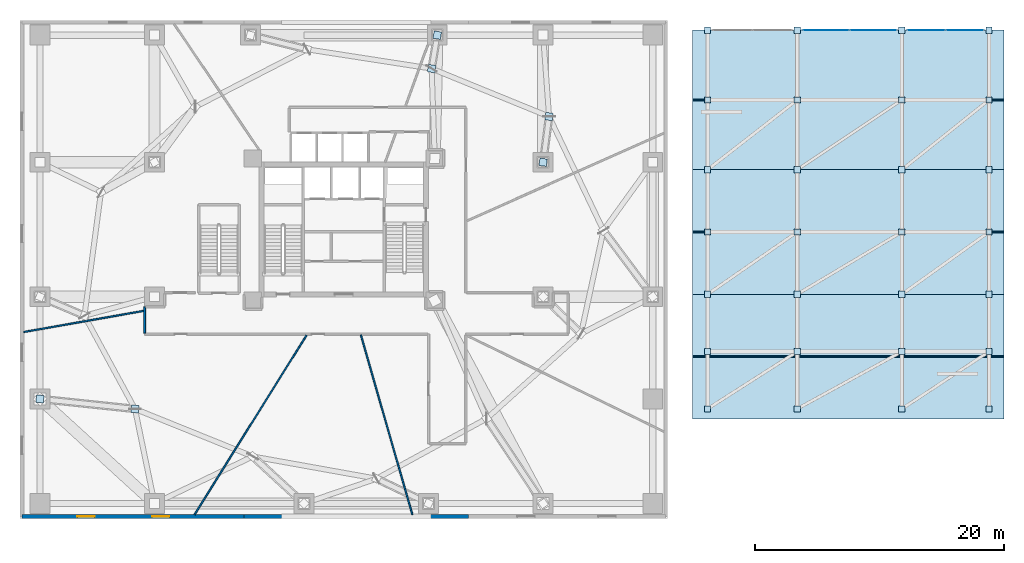
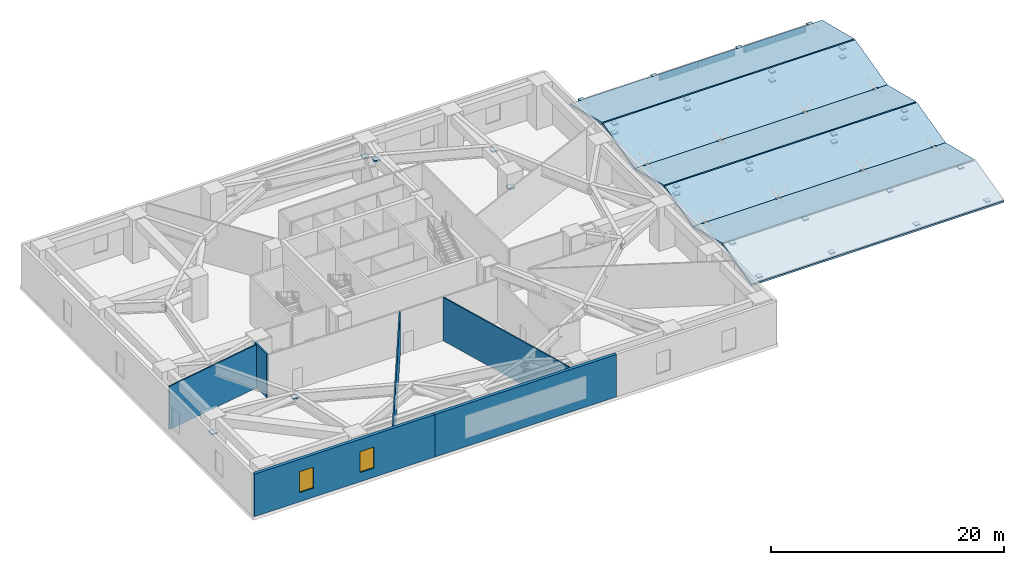
# One storey, part 8 of 13: 46 plates, 6 slabs, 6 walls, 2 windows, 2 openings, 2 elements without a shape of their own.
"""IFC4 building model written with IfcOpenShell, lengths in metres."""

import ifcopenshell
import ifcopenshell.guid

model = None  # the IFC model being written
_history = None  # IfcOwnerHistory: only IFC2X3 demands one
_inside = {}  # id of a spatial element -> (the spatial element, [elements in it])
_under = {}  # id of a project, library or spatial element -> (it, [spatial elements below it])
_declared = {}  # id of a project -> (the project, [libraries it declares])
_typed = {}  # id of a type object -> (the type object, [elements of that type])
_made_of = {}  # id of a material, layer set ... -> (it, [elements and type objects made of it])


def new_model(schema):
    """Start an empty IFC model of exactly this schema.

    Asked for "IFC4X3", IfcOpenShell would pick the latest addendum, in which some entities
    have other attributes; the version numbers below select the first issue.
    IFC2X3 requires an IfcOwnerHistory on every rooted entity: one is made here for all.
    """
    global model, _history
    if schema == "IFC4X3":
        model = ifcopenshell.file(schema_version=(4, 3, 0, 0))
    else:
        model = ifcopenshell.file(schema=schema)
    _inside.clear()
    _under.clear()
    _declared.clear()
    _typed.clear()
    _made_of.clear()
    _history = None
    if model.schema == "IFC2X3":
        org = make("IfcOrganization", Name="unknown")
        user = make(
            "IfcPersonAndOrganization",
            ThePerson=make("IfcPerson", FamilyName="unknown"),
            TheOrganization=org,
        )
        app = make(
            "IfcApplication",
            ApplicationDeveloper=org,
            Version="unknown",
            ApplicationFullName="unknown",
            ApplicationIdentifier="unknown",
        )
        _history = make(
            "IfcOwnerHistory",
            OwningUser=user,
            OwningApplication=app,
            ChangeAction="ADDED",
            CreationDate=0,
        )
    return model


def make(cls, **values):
    """One entity of the class cls with the attributes given. An attribute that is None is left unset."""
    return model.create_entity(
        cls, **{name: value for name, value in values.items() if value is not None}
    )


def rooted(cls, **values):
    """An entity with a GlobalId (a new one), such as an element, a storey or a relation."""
    return make(cls, GlobalId=ifcopenshell.guid.new(), OwnerHistory=_history, **values)


def si_unit(unit_type, name, prefix=None):
    """IfcSIUnit, for example si_unit("LENGTHUNIT", "METRE", prefix="MILLI")."""
    return make("IfcSIUnit", UnitType=unit_type, Prefix=prefix, Name=name)


def assignment(units):
    """IfcUnitAssignment: the units of a project."""
    return None if units is None else make("IfcUnitAssignment", Units=units)


def point(xyz):
    """IfcCartesianPoint."""
    return None if xyz is None else make("IfcCartesianPoint", Coordinates=xyz)


def direction(xyz):
    """IfcDirection."""
    return None if xyz is None else make("IfcDirection", DirectionRatios=xyz)


def frame(location, z_axis=None, x_axis=None):
    """IfcAxis2Placement3D, a coordinate frame: its origin and axes. An axis left out is left unset."""
    return make(
        "IfcAxis2Placement3D",
        Location=point(location),
        Axis=direction(z_axis),
        RefDirection=direction(x_axis),
    )


def frame_2d(location, x_axis=None):
    """IfcAxis2Placement2D, a coordinate frame in the plane: its origin and x axis."""
    return make(
        "IfcAxis2Placement2D", Location=point(location), RefDirection=direction(x_axis)
    )


def origin():
    """The frame at (0, 0, 0) with its axes left unset."""
    return frame((0.0, 0.0, 0.0))


def origin_2d():
    """The frame at (0, 0) in the plane with its x axis left unset."""
    return frame_2d((0.0, 0.0))


def place(relative_to, where):
    """IfcLocalPlacement: puts the frame where relative to a parent placement (None: the world)."""
    return make(
        "IfcLocalPlacement", PlacementRelTo=relative_to, RelativePlacement=where
    )


def context(
    kind, dimensions, precision=None, world=None, true_north=None, identifier=None
):
    """IfcGeometricRepresentationContext, for example the 3D "Model" context."""
    return make(
        "IfcGeometricRepresentationContext",
        ContextIdentifier=identifier,
        ContextType=kind,
        CoordinateSpaceDimension=dimensions,
        Precision=precision,
        WorldCoordinateSystem=world,
        TrueNorth=true_north,
    )


def subcontext(parent, identifier, kind, view, scale=None):
    """IfcGeometricRepresentationSubContext, for example "Body" below "Model"."""
    return make(
        "IfcGeometricRepresentationSubContext",
        ContextIdentifier=identifier,
        ContextType=kind,
        ParentContext=parent,
        TargetScale=scale,
        TargetView=view,
    )


def project(units=None, contexts=None):
    """IfcProject with its units and contexts."""
    return rooted(
        "IfcProject",
        Name="project",
        RepresentationContexts=contexts,
        UnitsInContext=assignment(units),
    )


def spatial(cls, under=None, at=None, **own):
    """A site, building, storey or space (cls), placed at a placement, below another one or the project."""
    s = rooted(cls, ObjectPlacement=at, **own)
    if under is not None:
        _under.setdefault(under.id(), (under, []))[1].append(s)
    return s


def polyline(points):
    """IfcPolyline through the points."""
    return make("IfcPolyline", Points=[point(p) for p in points])


def profile(cls, at=None, kind="AREA", **sizes):
    """A parametric profile (cls). Its sizes go by their IFC names, for example OverallWidth=200.0."""
    return make(cls, ProfileType=kind, Position=at, **sizes)


def rectangle(**sizes):
    """IfcRectangleProfileDef."""
    return profile("IfcRectangleProfileDef", **sizes)


def outline(outer, holes=None, kind="AREA"):
    """IfcArbitraryClosedProfileDef: a profile drawn as a closed curve; with holes, ...WithVoids."""
    if holes is None:
        return make("IfcArbitraryClosedProfileDef", ProfileType=kind, OuterCurve=outer)
    return make(
        "IfcArbitraryProfileDefWithVoids",
        ProfileType=kind,
        OuterCurve=outer,
        InnerCurves=holes,
    )


def extrude(swept, where, along, depth):
    """IfcExtrudedAreaSolid: the profile swept, set in the frame where, extruded along a direction by depth."""
    return make(
        "IfcExtrudedAreaSolid",
        SweptArea=swept,
        Position=where,
        ExtrudedDirection=direction(along),
        Depth=depth,
    )


def shape(context_of_items, identifier, shape_type, items):
    """IfcShapeRepresentation: the items that make up one representation, for example the "Body"."""
    return make(
        "IfcShapeRepresentation",
        ContextOfItems=context_of_items,
        RepresentationIdentifier=identifier,
        RepresentationType=shape_type,
        Items=items,
    )


def source(mapping_origin, context_of_items, identifier, shape_type, items):
    """IfcRepresentationMap: a shape defined once, which mapped items show again and again."""
    return make(
        "IfcRepresentationMap",
        MappingOrigin=mapping_origin,
        MappedRepresentation=shape(context_of_items, identifier, shape_type, items),
    )


def transform(
    local_origin,
    x_axis=None,
    y_axis=None,
    z_axis=None,
    scale=None,
    scale2=None,
    scale3=None,
    uniform=True,
):
    """IfcCartesianTransformationOperator3D, or its non-uniform kind. x_axis, y_axis, z_axis: its Axis1, 2, 3."""
    if uniform:
        return make(
            "IfcCartesianTransformationOperator3D",
            Axis1=direction(x_axis),
            Axis2=direction(y_axis),
            LocalOrigin=point(local_origin),
            Scale=scale,
            Axis3=direction(z_axis),
        )
    return make(
        "IfcCartesianTransformationOperator3DnonUniform",
        Axis1=direction(x_axis),
        Axis2=direction(y_axis),
        LocalOrigin=point(local_origin),
        Scale=scale,
        Axis3=direction(z_axis),
        Scale2=scale2,
        Scale3=scale3,
    )


def mapped(mapping_source, mapping_target):
    """IfcMappedItem: shows the shape of a source again, moved by a transform."""
    return make(
        "IfcMappedItem", MappingSource=mapping_source, MappingTarget=mapping_target
    )


def material(Name=None, Category=None):
    """IfcMaterial."""
    return make("IfcMaterial", Name=Name, Category=Category)


def layer(
    of_material, thickness, ventilated=None, Name=None, Category=None, Priority=None
):
    """IfcMaterialLayer: one layer of a wall or slab, of a material (None: an air gap)."""
    return make(
        "IfcMaterialLayer",
        Material=of_material,
        LayerThickness=thickness,
        IsVentilated=ventilated,
        Name=Name,
        Category=Category,
        Priority=Priority,
    )


def layer_set(layers, Name=None):
    """IfcMaterialLayerSet."""
    return make("IfcMaterialLayerSet", MaterialLayers=layers, LayerSetName=Name)


def made_of(thing, what):
    """Note that an element or type object is made of a material, layer set ...; save() writes the relation."""
    if what is not None:
        _made_of.setdefault(what.id(), (what, []))[1].append(thing)
    return thing


def type_object(cls, material=None, **own):
    """A type object (cls), such as IfcWallType, which elements share."""
    return made_of(rooted(cls, **own), material)


def type_shapes(of_type, sources):
    """Give a type object the sources (RepresentationMaps) that its elements show as mapped items."""
    of_type.RepresentationMaps = sources


def element(
    cls,
    number,
    at=None,
    inside=None,
    cuts=None,
    type_object=None,
    material=None,
    context=None,
    identifier="Body",
    shape_type=None,
    held_by="IfcProductDefinitionShape",
    body=None,
    shapes=None,
    **own,
):
    """One element of the class cls, such as IfcWall. Its Tag is "e" and its number.

    at: its placement. inside: the storey or other place that contains it. cuts: it is an
    opening in that element (IfcRelVoidsElement). A single representation is given by context,
    identifier, shape_type and body (its items); several are given by shapes. held_by: the class
    of the entity that holds the representations. save() writes the other relations.
    """
    e = rooted(cls, Tag="e%d" % number, ObjectPlacement=at, **own)
    if body is not None:
        shapes = [shape(context, identifier, shape_type, body)]
    if shapes is not None:
        e.Representation = make(held_by, Representations=shapes)
    if inside is not None:
        _inside.setdefault(inside.id(), (inside, []))[1].append(e)
    if cuts is not None:
        rooted(
            "IfcRelVoidsElement", RelatingBuildingElement=cuts, RelatedOpeningElement=e
        )
    if type_object is not None:
        _typed.setdefault(type_object.id(), (type_object, []))[1].append(e)
    return made_of(e, material)


def fill(opening, filler):
    """IfcRelFillsElement: the door or window that sits in an opening."""
    return rooted(
        "IfcRelFillsElement",
        RelatingOpeningElement=opening,
        RelatedBuildingElement=filler,
    )


def aggregate(whole, parts):
    """IfcRelAggregates: a whole, such as a stair, and the parts it consists of."""
    return rooted("IfcRelAggregates", RelatingObject=whole, RelatedObjects=parts)


def save(model, path):
    """Write the relations noted so far, then the file.

    IfcRelAggregates (storeys below a building ...), IfcRelContainedInSpatialStructure (elements
    in a storey), IfcRelDefinesByType, IfcRelAssociatesMaterial and IfcRelDeclares: one each for
    every whole, place, type object, material and project.
    """
    for whole, parts in _under.values():
        aggregate(whole, parts)
    for where, things in _inside.values():
        rooted(
            "IfcRelContainedInSpatialStructure",
            RelatedElements=things,
            RelatingStructure=where,
        )
    for kind, things in _typed.values():
        rooted("IfcRelDefinesByType", RelatedObjects=things, RelatingType=kind)
    for what, things in _made_of.values():
        rooted("IfcRelAssociatesMaterial", RelatedObjects=things, RelatingMaterial=what)
    for by, libraries in _declared.values():
        rooted("IfcRelDeclares", RelatingContext=by, RelatedDefinitions=libraries)
    model.write(path)


model = new_model("IFC4")

# Units and contexts
model_context = context("Model", 3, precision=1e-05, world=origin(), true_north=direction((0.0, 1.0)))
body_context = subcontext(model_context, "Body", "Model", "MODEL_VIEW")
ifc_project = project(units=[si_unit("LENGTHUNIT", "METRE"), si_unit("AREAUNIT", "SQUARE_METRE"), si_unit("VOLUMEUNIT", "CUBIC_METRE"), si_unit("PLANEANGLEUNIT", "RADIAN"), si_unit("MASSUNIT", "GRAM", prefix="KILO")], contexts=[model_context])

# Site, building, storey
site_placement = place(None, origin())
site = spatial("IfcSite", under=ifc_project, at=site_placement, CompositionType="ELEMENT")
building_placement = place(site_placement, origin())
building = spatial("IfcBuilding", under=site, at=building_placement, Name="Talar Marvaseh", CompositionType="ELEMENT")
storey_placement = place(building_placement, frame((0.0, 0.0, 19.0)))
storey = spatial("IfcBuildingStorey", under=building, at=storey_placement, Name="L04", CompositionType="ELEMENT", Elevation=19.0)

# Slabs
ifc_material_1 = material(Name="Precast concrete C45/55", Category="concrete")
ifc_layer_1 = layer(ifc_material_1, 0.235107421875)
ifc_layer_set_1 = layer_set([ifc_layer_1], Name="Precast concrete C45/55")
slab_type = type_object("IfcSlabType", Name="Market Hall Vaulted Precast Roof Slab 235", PredefinedType="ROOF", material=ifc_layer_set_1)
for number, where, z_axis, x_axis, name in (
    (1, (54.0, 16.0, 0.64990234375), (0.0, -0.24189111647, 0.970303399856), (1.0, 0.0, 0.0), "L04 Market Hall South Vault Roof Facet 1"),
    (2, (54.0, 21.070068359375, 1.87890625), (0.0, 0.24189111647, 0.970303399856), (1.0, 0.0, 0.0), "L04 Market Hall North Vault Roof Facet 1"),
    (3, (54.0, 26.0, 0.64990234375), (0.0, -0.24189111647, 0.970303399856), (1.0, 0.0, 0.0), "L04 Market Hall South Vault Roof Facet 2"),
    (4, (54.0, 31.070068359375, 1.87890625), (0.0, 0.24189111647, 0.970303399856), (1.0, 0.0, 0.0), "L04 Market Hall North Vault Roof Facet 2"),
):
    element("IfcSlab", number, at=place(storey_placement, frame(where, z_axis=z_axis, x_axis=x_axis)), inside=storey, type_object=slab_type, Name=name, PredefinedType="ROOF", context=body_context, shape_type="SweptSolid", body=[
        extrude(outline(polyline([(0.0, 0.0), (25.0, 0.0), (25.0, 5.080814558986901), (0.0, 5.080814558986901), (0.0, 0.0)])), origin(), (0.0, 0.0, -1.0), 0.235107421875),
    ])
for number, where, z_axis, x_axis, name in (
    (5, (54.0, 36.0, 0.64990234375), (0.0, -0.241981235667, 0.970280929208), (1.0, 0.0, 0.0), "L04 Market Hall South Vault Roof Facet 3"),
    (6, (54.0, 41.669921875, 2.029052734375), (0.0, 0.241981235667, 0.970280929208), (1.0, 0.0, 0.0), "L04 Market Hall North Vault Roof Facet 3"),
):
    element("IfcSlab", number, at=place(storey_placement, frame(where, z_axis=z_axis, x_axis=x_axis)), inside=storey, type_object=slab_type, Name=name, PredefinedType="ROOF", context=body_context, shape_type="SweptSolid", body=[
        extrude(outline(polyline([(0.0, 0.0), (25.0, 0.0), (25.0, 5.699410480414347), (0.0, 5.699410480414347), (0.0, 0.0)])), origin(), (0.0, 0.0, -1.0), 0.235107421875),
    ])

# Plates
ifc_material_2 = material(Name="Steel S460", Category="steel")
ifc_layer_2 = layer(ifc_material_2, 0.02490234375)
ifc_layer_set_2 = layer_set([ifc_layer_2], Name="Steel S460")
plate_type_1 = type_object("IfcPlateType", Name="Crown Box End Closure Cap Plate 25", PredefinedType="USERDEFINED", material=ifc_layer_set_2)
shared_shape_1 = source(origin(), body_context, "Body", "SweptSolid", [
    extrude(rectangle(XDim=0.5, YDim=0.5, at=origin_2d()), origin(), (0.0, 0.0, 1.0), 0.139892578125),
])
type_shapes(plate_type_1, [shared_shape_1])
for number, where, z_axis, x_axis, name in (
    (7, (55.199951171875, 16.800048828125, 0.5302734375), (0.0, 0.0, 1.0), (0.0, 1.0, 0.0), "L04 Hollow Member End Cap Plate"),
    (8, (55.199951171875, 21.39990234375, 1.22705078125), (0.0, 0.0, 1.0), (0.0, 1.0, 0.0), "L04 Hollow Member End Cap Plate"),
    (9, (55.199951171875, 26.0, 0.5302734375), (0.0, 0.0, 1.0), (0.0, 1.0, 0.0), "L04 Hollow Member End Cap Plate"),
    (10, (62.39990234375, 16.800048828125, 0.5302734375), (0.0, 0.0, 1.0), (0.0, 1.0, 0.0), "L04 Hollow Member End Cap Plate"),
    (11, (62.39990234375, 21.39990234375, 1.22705078125), (0.0, 0.0, 1.0), (0.0, 1.0, 0.0), "L04 Hollow Member End Cap Plate"),
    (12, (62.39990234375, 26.0, 0.5302734375), (0.0, 0.0, 1.0), (0.0, 1.0, 0.0), "L04 Hollow Member End Cap Plate"),
    (13, (70.800048828125, 16.800048828125, 0.5302734375), (0.0, 0.0, 1.0), (0.0, 1.0, 0.0), "L04 Hollow Member End Cap Plate"),
    (14, (70.800048828125, 21.39990234375, 1.22705078125), (0.0, 0.0, 1.0), (0.0, 1.0, 0.0), "L04 Hollow Member End Cap Plate"),
    (15, (70.800048828125, 26.0, 0.5302734375), (0.0, 0.0, 1.0), (0.0, 1.0, 0.0), "L04 Hollow Member End Cap Plate"),
    (16, (77.800048828125, 16.800048828125, 0.5302734375), (0.0, 0.0, 1.0), (0.0, 1.0, 0.0), "L04 Hollow Member End Cap Plate"),
    (17, (77.800048828125, 21.39990234375, 1.22705078125), (0.0, 0.0, 1.0), (0.0, 1.0, 0.0), "L04 Hollow Member End Cap Plate"),
    (18, (77.800048828125, 26.0, 0.5302734375), (0.0, 0.0, 1.0), (0.0, 1.0, 0.0), "L04 Hollow Member End Cap Plate"),
    (19, (55.199951171875, 31.0, 0.5302734375), (0.0, 0.0, 1.0), (1.0, 0.0, 0.0), "L04 Hollow Member End Cap Plate"),
    (20, (55.199951171875, 31.0, 1.3271484375), (0.0, 0.0, 1.0), (1.0, 0.0, 0.0), "L04 Hollow Member End Cap Plate"),
    (21, (55.199951171875, 36.0, 0.5302734375), (0.0, 0.0, 1.0), (0.0, 1.0, 0.0), "L04 Hollow Member End Cap Plate"),
    (22, (62.39990234375, 31.0, 0.5302734375), (0.0, 0.0, 1.0), (1.0, 0.0, 0.0), "L04 Hollow Member End Cap Plate"),
    (23, (62.39990234375, 31.0, 1.3271484375), (0.0, 0.0, 1.0), (1.0, 0.0, 0.0), "L04 Hollow Member End Cap Plate"),
    (24, (62.39990234375, 36.0, 0.5302734375), (0.0, 0.0, 1.0), (0.0, 1.0, 0.0), "L04 Hollow Member End Cap Plate"),
    (25, (70.800048828125, 31.0, 0.5302734375), (0.0, 0.0, 1.0), (1.0, 0.0, 0.0), "L04 Hollow Member End Cap Plate"),
    (26, (70.800048828125, 31.0, 1.3271484375), (0.0, 0.0, 1.0), (1.0, 0.0, 0.0), "L04 Hollow Member End Cap Plate"),
    (27, (70.800048828125, 36.0, 0.5302734375), (0.0, 0.0, 1.0), (0.0, 1.0, 0.0), "L04 Hollow Member End Cap Plate"),
    (28, (77.800048828125, 31.0, 0.5302734375), (0.0, 0.0, 1.0), (1.0, 0.0, 0.0), "L04 Hollow Member End Cap Plate"),
    (29, (77.800048828125, 31.0, 1.3271484375), (0.0, 0.0, 1.0), (1.0, 0.0, 0.0), "L04 Hollow Member End Cap Plate"),
    (30, (77.800048828125, 36.0, 0.5302734375), (0.0, 0.0, 1.0), (0.0, 1.0, 0.0), "L04 Hollow Member End Cap Plate"),
    (31, (55.199951171875, 41.60009765625, 0.5302734375), (0.0, 0.0, 1.0), (1.0, 0.0, 0.0), "L04 Hollow Member End Cap Plate"),
    (32, (55.199951171875, 41.60009765625, 1.47607421875), (0.0, 0.0, 1.0), (1.0, 0.0, 0.0), "L04 Hollow Member End Cap Plate"),
    (33, (55.199951171875, 47.199951171875, 0.5302734375), (0.0, 0.0, 1.0), (0.0, 1.0, 0.0), "L04 Hollow Member End Cap Plate"),
    (34, (62.39990234375, 41.60009765625, 0.5302734375), (0.0, 0.0, 1.0), (1.0, 0.0, 0.0), "L04 Hollow Member End Cap Plate"),
    (35, (62.39990234375, 41.60009765625, 1.47607421875), (0.0, 0.0, 1.0), (1.0, 0.0, 0.0), "L04 Hollow Member End Cap Plate"),
    (36, (62.39990234375, 47.199951171875, 0.5302734375), (0.0, 0.0, 1.0), (0.0, 1.0, 0.0), "L04 Hollow Member End Cap Plate"),
    (37, (70.800048828125, 41.60009765625, 0.5302734375), (0.0, 0.0, 1.0), (1.0, 0.0, 0.0), "L04 Hollow Member End Cap Plate"),
    (38, (70.800048828125, 41.60009765625, 1.47607421875), (0.0, 0.0, 1.0), (1.0, 0.0, 0.0), "L04 Hollow Member End Cap Plate"),
    (39, (70.800048828125, 47.199951171875, 0.5302734375), (0.0, 0.0, 1.0), (0.0, 1.0, 0.0), "L04 Hollow Member End Cap Plate"),
    (40, (77.800048828125, 41.60009765625, 0.5302734375), (0.0, 0.0, 1.0), (1.0, 0.0, 0.0), "L04 Hollow Member End Cap Plate"),
    (41, (77.800048828125, 41.60009765625, 1.47607421875), (0.0, 0.0, 1.0), (1.0, 0.0, 0.0), "L04 Hollow Member End Cap Plate"),
    (42, (77.800048828125, 47.199951171875, 0.5302734375), (0.0, 0.0, 1.0), (0.0, 1.0, 0.0), "L04 Hollow Member End Cap Plate"),
):
    element("IfcPlate", number, at=place(storey_placement, frame(where, z_axis=z_axis, x_axis=x_axis)), inside=storey, type_object=plate_type_1, Name=name, ObjectType="CAP_PLATE", PredefinedType="USERDEFINED", context=body_context, shape_type="MappedRepresentation", body=[
        mapped(shared_shape_1, transform((0.0, 0.0, 0.0), x_axis=(1.0, 0.0, 0.0), y_axis=(0.0, 1.0, 0.0), z_axis=(0.0, 0.0, 1.0), scale=1.0)),
    ])
ifc_layer_3 = layer(ifc_material_2, 0.030029296875)
ifc_layer_set_3 = layer_set([ifc_layer_3], Name="Steel S460")
plate_type_2 = type_object("IfcPlateType", Name="Heavy Box End Closure Cap Plate 30", PredefinedType="USERDEFINED", material=ifc_layer_set_3)
shared_shape_2 = source(origin(), body_context, "Body", "SweptSolid", [
    extrude(rectangle(XDim=0.60009765625, YDim=0.60009765625, at=origin_2d()), origin(), (0.0, 0.0, 1.0), 0.139892578125),
])
type_shapes(plate_type_2, [shared_shape_2])
for number, where, z_axis, x_axis, name in (
    (43, (42.0, 36.60009765625, 2.47998046875), (0.0, 0.0, 1.0), (0.128795596578, 0.991671162383, 0.0), "L04 Hollow Member End Cap Plate"),
    (44, (42.47705078125, 40.26904296875, 3.97998046875), (0.0, 0.0, 1.0), (0.128795596578, 0.991671162383, 0.0), "L04 Hollow Member End Cap Plate"),
    (45, (1.60009765625, 17.60009765625, 2.47998046875), (0.0, 0.0, 1.0), (0.994521895368, -0.104528463268, 0.0), "L04 Hollow Member End Cap Plate"),
    (46, (9.23193359375, 16.7958984375, 3.97998046875), (0.0, 0.0, 1.0), (0.994521895368, -0.104528463268, 0.0), "L04 Hollow Member End Cap Plate"),
    (47, (33.5, 46.800048828125, 2.47998046875), (0.0, 0.0, 1.0), (-0.166768746716, -0.985996037071, 0.0), "L04 Hollow Member End Cap Plate"),
    (48, (33.0458984375, 44.117919921875, 3.97998046875), (0.0, 0.0, 1.0), (-0.166768746716, -0.985996037071, 0.0), "L04 Hollow Member End Cap Plate"),
):
    element("IfcPlate", number, at=place(storey_placement, frame(where, z_axis=z_axis, x_axis=x_axis)), inside=storey, type_object=plate_type_2, Name=name, ObjectType="CAP_PLATE", PredefinedType="USERDEFINED", context=body_context, shape_type="MappedRepresentation", body=[
        mapped(shared_shape_2, transform((0.0, 0.0, 0.0), x_axis=(1.0, 0.0, 0.0), y_axis=(0.0, 1.0, 0.0), z_axis=(0.0, 0.0, 1.0), scale=1.0)),
    ])

# Curtain wall, plates
ifc_material_3 = material(Name="Architectural Aluminium", Category="aluminium")
ifc_layer_4 = layer(ifc_material_3, 0.169921875)
ifc_layer_set_4 = layer_set([ifc_layer_4], Name="Architectural Aluminium")
curtain_wall_type = type_object("IfcCurtainWallType", Name="Market Hall Clerestory and Courtyard Curtain Wall", PredefinedType="NOTDEFINED", material=ifc_layer_set_4)
curtain_wall_1_placement = place(storey_placement, origin())
curtain_wall_1 = element("IfcCurtainWall", 49, at=curtain_wall_1_placement, inside=storey, type_object=curtain_wall_type, Name="L04 Market Hall Clerestory and Courtyard Curtain Wall", PredefinedType="NOTDEFINED")
ifc_material_4 = material(Name="Laminated Low-E Solar Glass", Category="glass")
ifc_layer_5 = layer(ifc_material_4, 0.028076171875)
ifc_layer_set_5 = layer_set([ifc_layer_5], Name="Laminated Low-E Solar Glass")
plate_type_3 = type_object("IfcPlateType", Name="Double-Glazed Low-E Vision Curtain Panel 28", PredefinedType="CURTAIN_PANEL", material=ifc_layer_set_5)
shared_shape_3 = source(origin(), body_context, "Body", "SweptSolid", [
    extrude(rectangle(XDim=3.742431640625, YDim=0.028076171875, at=origin_2d()), origin(), (0.0, 0.0, 1.0), 0.699951171875),
])
plate_1_placement = place(storey_placement, frame((64.6962890625, 47.199951171875, -0.0849609375), z_axis=(0.0, 0.0, 1.0), x_axis=(1.0, 0.0, 0.0)))
plate_1 = element("IfcPlate", 50, at=plate_1_placement, type_object=plate_type_3, Name="CW-MKT panel 1.1", PredefinedType="CURTAIN_PANEL", context=body_context, shape_type="MappedRepresentation", body=[
    mapped(shared_shape_3, transform((0.0, 0.0, 0.0), x_axis=(1.0, 0.0, 0.0), y_axis=(0.0, 1.0, 0.0), z_axis=(0.0, 0.0, 1.0), scale=1.0)),
])
plate_2_placement = place(storey_placement, frame((68.503662109375, 47.199951171875, -0.0849609375), z_axis=(0.0, 0.0, 1.0), x_axis=(1.0, 0.0, 0.0)))
plate_2 = element("IfcPlate", 51, at=plate_2_placement, type_object=plate_type_3, Name="CW-MKT panel 2.1", PredefinedType="CURTAIN_PANEL", context=body_context, shape_type="MappedRepresentation", body=[
    mapped(shared_shape_3, transform((0.0, 0.0, 0.0), x_axis=(1.0, 0.0, 0.0), y_axis=(0.0, 1.0, 0.0), z_axis=(0.0, 0.0, 1.0), scale=1.0)),
])
aggregate(curtain_wall_1, [plate_1, plate_2])

curtain_wall_2_placement = place(storey_placement, origin())
curtain_wall_2 = element("IfcCurtainWall", 52, at=curtain_wall_2_placement, inside=storey, type_object=curtain_wall_type, Name="L04 Market Hall Clerestory and Courtyard Curtain Wall", PredefinedType="NOTDEFINED")
shared_shape_4 = source(origin(), body_context, "Body", "SweptSolid", [
    extrude(rectangle(XDim=3.04248046875, YDim=0.028076171875, at=origin_2d()), origin(), (0.0, 0.0, 1.0), 0.699951171875),
])
type_shapes(plate_type_3, [shared_shape_3, shared_shape_4])
plate_3_placement = place(storey_placement, frame((72.746337890625, 47.199951171875, -0.0849609375), z_axis=(0.0, 0.0, 1.0), x_axis=(1.0, 0.0, 0.0)))
plate_3 = element("IfcPlate", 53, at=plate_3_placement, type_object=plate_type_3, Name="CW-MKT panel 1.1", PredefinedType="CURTAIN_PANEL", context=body_context, shape_type="MappedRepresentation", body=[
    mapped(shared_shape_4, transform((0.0, 0.0, 0.0), x_axis=(1.0, 0.0, 0.0), y_axis=(0.0, 1.0, 0.0), z_axis=(0.0, 0.0, 1.0), scale=1.0)),
])
plate_4_placement = place(storey_placement, frame((75.853759765625, 47.199951171875, -0.0849609375), z_axis=(0.0, 0.0, 1.0), x_axis=(1.0, 0.0, 0.0)))
plate_4 = element("IfcPlate", 54, at=plate_4_placement, type_object=plate_type_3, Name="CW-MKT panel 2.1", PredefinedType="CURTAIN_PANEL", context=body_context, shape_type="MappedRepresentation", body=[
    mapped(shared_shape_4, transform((0.0, 0.0, 0.0), x_axis=(1.0, 0.0, 0.0), y_axis=(0.0, 1.0, 0.0), z_axis=(0.0, 0.0, 1.0), scale=1.0)),
])
aggregate(curtain_wall_2, [plate_3, plate_4])

# Wall
ifc_layer_6 = layer(ifc_material_1, 0.31005859375)
ifc_layer_set_6 = layer_set([ifc_layer_6], Name="Precast concrete C45/55")
wall_type_1 = type_object("IfcWallType", Name="Architectural Precast Limestone Podium Facade Wall 310", PredefinedType="SOLIDWALL", material=ifc_layer_set_6)
wall_1_placement = place(storey_placement, frame((36.0, 8.159912109375, 0.0), z_axis=(0.0, 0.0, 1.0), x_axis=(-1.0, 0.0, 0.0)))
element("IfcWall", 55, at=wall_1_placement, inside=storey, type_object=wall_type_1, Name="L04 Podium South Transfer Facade Wall", PredefinedType="SOLIDWALL", context=body_context, shape_type="SweptSolid", body=[
    extrude(rectangle(XDim=18.0, YDim=0.31005859375, at=frame_2d((9.0, 0.0))), origin(), (0.0, 0.0, 1.0), 4.449951171875),
])

# Wall, openings, windows
wall_2_placement = place(storey_placement, frame((18.0, 8.159912109375, 0.0), z_axis=(0.0, 0.0, 1.0), x_axis=(-1.0, 0.0, 0.0)))
wall_2 = element("IfcWall", 56, at=wall_2_placement, inside=storey, type_object=wall_type_1, Name="L04 Podium South-West Facade Wall", PredefinedType="SOLIDWALL", context=body_context, shape_type="SweptSolid", body=[
    extrude(rectangle(XDim=17.840087890625, YDim=0.31005859375, at=frame_2d((8.919921875, 0.0))), origin(), (0.0, 0.0, 1.0), 4.449951171875),
])
opening_1_placement = place(wall_2_placement, frame((6.0, 0.0, 0.949951171875)))
opening_1 = element("IfcOpeningElement", 57, at=opening_1_placement, cuts=wall_2, Name="Opening WN-POD14", PredefinedType="OPENING", context=body_context, shape_type="SweptSolid", body=[
    extrude(rectangle(XDim=1.39990234375, YDim=2.199951171875, at=frame_2d((0.699951171875, 1.10009765625))), frame((0.0, 0.1650390625, 0.0), z_axis=(0.0, -1.0, 0.0), x_axis=(1.0, 0.0, 0.0)), (0.0, 0.0, 1.0), 0.330078125),
])
opening_2_placement = place(wall_2_placement, frame((12.0, 0.0, 0.949951171875)))
opening_2 = element("IfcOpeningElement", 58, at=opening_2_placement, cuts=wall_2, Name="Opening WN-POD14", PredefinedType="OPENING", context=body_context, shape_type="SweptSolid", body=[
    extrude(rectangle(XDim=1.39990234375, YDim=2.199951171875, at=frame_2d((0.699951171875, 1.10009765625))), frame((0.0, 0.1650390625, 0.0), z_axis=(0.0, -1.0, 0.0), x_axis=(1.0, 0.0, 0.0)), (0.0, 0.0, 1.0), 0.330078125),
])
window_type = type_object("IfcWindowType", Name="Podium Mezzanine Solar Window 1400x2200", PartitioningType="SINGLE_PANEL", PredefinedType="WINDOW", material=ifc_material_4)
shared_shape_5 = source(origin(), body_context, "Body", "SweptSolid", [
    extrude(rectangle(XDim=1.39990234375, YDim=2.199951171875, at=frame_2d((0.699951171875, 1.10009765625))), frame((0.0, 0.030029296875, 0.0), z_axis=(0.0, -1.0, 0.0), x_axis=(1.0, 0.0, 0.0)), (0.0, 0.0, 1.0), 0.06005859375),
])
type_shapes(window_type, [shared_shape_5])
window_1_placement = place(opening_1_placement, origin())
window_1 = element("IfcWindow", 59, at=window_1_placement, inside=storey, type_object=window_type, Name="L04 Podium Solar Window", OverallHeight=2.199951171875, OverallWidth=1.39990234375, PartitioningType="SINGLE_PANEL", PredefinedType="WINDOW", context=body_context, shape_type="MappedRepresentation", body=[
    mapped(shared_shape_5, transform((0.0, 0.0, 0.0), x_axis=(1.0, 0.0, 0.0), y_axis=(0.0, 1.0, 0.0), z_axis=(0.0, 0.0, 1.0), scale=1.0)),
])
fill(opening_1, window_1)
window_2_placement = place(opening_2_placement, origin())
window_2 = element("IfcWindow", 60, at=window_2_placement, inside=storey, type_object=window_type, Name="L04 Podium Solar Window", OverallHeight=2.199951171875, OverallWidth=1.39990234375, PartitioningType="SINGLE_PANEL", PredefinedType="WINDOW", context=body_context, shape_type="MappedRepresentation", body=[
    mapped(shared_shape_5, transform((0.0, 0.0, 0.0), x_axis=(1.0, 0.0, 0.0), y_axis=(0.0, 1.0, 0.0), z_axis=(0.0, 0.0, 1.0), scale=1.0)),
])
fill(opening_2, window_2)

# Walls
ifc_material_5 = material(Name="Gypsum Board Partition Assembly")
ifc_layer_7 = layer(ifc_material_5, 0.155029296875)
ifc_layer_set_7 = layer_set([ifc_layer_7], Name="Gypsum Board Partition Assembly")
wall_type_2 = type_object("IfcWallType", Name="Corridor Fire-Rated Acoustic Partition 155", PredefinedType="PARTITIONING", material=ifc_layer_set_7)
wall_3_placement = place(storey_placement, frame((10.0, 22.883544921875, 0.0), z_axis=(0.0, 0.0, 1.0), x_axis=(0.0, 1.0, 0.0)))
element("IfcWall", 61, at=wall_3_placement, inside=storey, type_object=wall_type_2, Name="L04 Interior Partition Wall", PredefinedType="PARTITIONING", context=body_context, shape_type="SweptSolid", body=[
    extrude(rectangle(XDim=2.1015625, YDim=0.155029296875, at=frame_2d((1.05078125, 0.0))), origin(), (0.0, 0.0, 1.0), 4.550048828125),
])
ifc_layer_8 = layer(ifc_material_5, 0.1201171875)
ifc_layer_set_8 = layer_set([ifc_layer_8], Name="Gypsum Board Partition Assembly")
wall_type_3 = type_object("IfcWallType", Name="Demountable Studio Room Partition 120", PredefinedType="PARTITIONING", material=ifc_layer_set_8)
wall_4_placement = place(storey_placement, frame((23.0078125, 22.716552734375, 0.0), z_axis=(0.0, 0.0, 1.0), x_axis=(-0.529734054796, -0.84816379974, 0.0)))
element("IfcWall", 62, at=wall_4_placement, inside=storey, type_object=wall_type_3, Name="L04 Interior Partition Wall", PredefinedType="PARTITIONING", context=body_context, shape_type="SweptSolid", body=[
    extrude(rectangle(XDim=16.985595703125, YDim=0.1201171875, at=frame_2d((8.49267578125, 0.0))), origin(), (0.0, 0.0, 1.0), 4.550048828125),
])
wall_5_placement = place(storey_placement, frame((0.31005859375, 22.969970703125, 0.0), z_axis=(0.0, 0.0, 1.0), x_axis=(0.984783055926, 0.173788183604, 0.0)))
element("IfcWall", 63, at=wall_5_placement, inside=storey, type_object=wall_type_3, Name="L04 Interior Partition Wall", PredefinedType="PARTITIONING", context=body_context, shape_type="SweptSolid", body=[
    extrude(rectangle(XDim=9.774658203125, YDim=0.1201171875, at=frame_2d((4.88720703125, 0.0))), origin(), (0.0, 0.0, 1.0), 4.550048828125),
])
wall_6_placement = place(storey_placement, frame((27.367919921875, 22.737548828125, 0.0), z_axis=(0.0, 0.0, 1.0), x_axis=(0.275333418744, -0.961348796495, 0.0)))
element("IfcWall", 64, at=wall_6_placement, inside=storey, type_object=wall_type_3, Name="L04 Interior Partition Wall", PredefinedType="PARTITIONING", context=body_context, shape_type="SweptSolid", body=[
    extrude(rectangle(XDim=15.007568359375, YDim=0.1201171875, at=frame_2d((7.50390625, 0.0))), origin(), (0.0, 0.0, 1.0), 4.550048828125),
])

save(model, "model.ifc")
